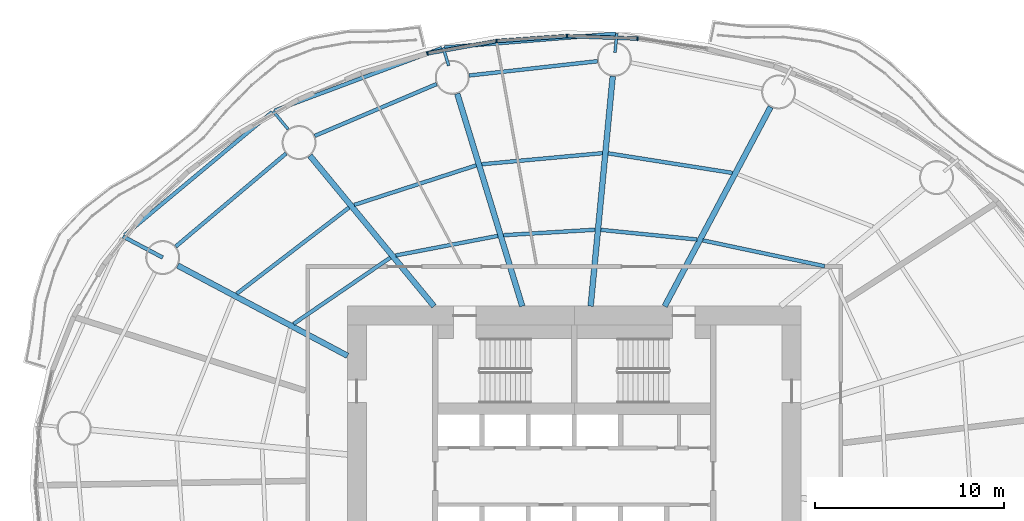
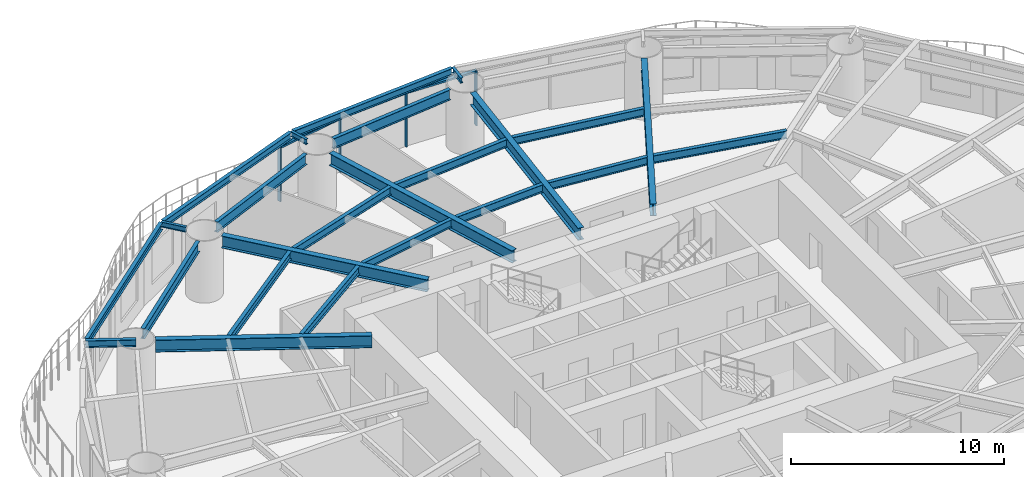
# One storey, part 5 of 17: 24 beams, 7 members, 3 elements without a shape of their own.
"""IFC4 building model written with IfcOpenShell, lengths in metres."""

from ifc_helpers import new_model, si_unit, direction, frame, origin, origin_2d, place, context, subcontext, project, spatial, rectangle, i_section, extrude, material, material_profile, profile_set, type_object, element, aggregate, save


model = new_model("IFC4")

# Units and contexts
model_context = context("Model", 3, precision=1e-05, world=origin(), true_north=direction((0.0, 1.0)))
body_context = subcontext(model_context, "Body", "Model", "MODEL_VIEW")
ifc_project = project(units=[si_unit("LENGTHUNIT", "METRE"), si_unit("AREAUNIT", "SQUARE_METRE"), si_unit("VOLUMEUNIT", "CUBIC_METRE"), si_unit("PLANEANGLEUNIT", "RADIAN"), si_unit("MASSUNIT", "GRAM", prefix="KILO")], contexts=[model_context])

# Site, building, storey
site_placement = place(None, origin())
site = spatial("IfcSite", under=ifc_project, at=site_placement, CompositionType="ELEMENT")
building_placement = place(site_placement, origin())
building = spatial("IfcBuilding", under=site, at=building_placement, Name="Vermilion Reach Broadcast Tower", CompositionType="ELEMENT")
storey_placement = place(building_placement, frame((0.0, 0.0, 39.699951171875)))
storey = spatial("IfcBuildingStorey", under=building, at=storey_placement, Name="L06", CompositionType="ELEMENT", Elevation=39.699951171875)

# Beams
ifc_material_1 = material(Name="Steel S355J2", Category="steel")
ifc_material_profile_1 = material_profile(ifc_material_1, i_section(OverallWidth=0.199951171875, OverallDepth=0.39990234375, WebThickness=0.008056640625, FlangeThickness=0.012939453125, at=origin_2d()), Name="S355J2 HN 400x200x8x13")
ifc_profile_set_1 = profile_set([ifc_material_profile_1], Name="Steel S355J2")
beam_type_1 = type_object("IfcBeamType", Name="EB1 HN 400x200x8x13", PredefinedType="BEAM", material=ifc_profile_set_1)
beam_1_placement = place(storey_placement, frame((-3.82470703125, 23.41748046875, 3.35009765625), z_axis=(-0.996756016342, -0.080482568827, 0.0), x_axis=(0.080482568827, -0.996756016342, 0.0)))
element("IfcBeam", 1, at=beam_1_placement, inside=storey, type_object=beam_type_1, Name="Edge beam EB1-04", PredefinedType="BEAM", context=body_context, shape_type="SweptSolid", body=[
    extrude(i_section(OverallWidth=0.199951171875, OverallDepth=0.39990234375, WebThickness=0.008056640625, FlangeThickness=0.012939453125, at=origin_2d()), origin(), (0.0, 0.0, 1.0), 9.06689453125),
])
beam_2_placement = place(storey_placement, frame((-13.009033203125, 22.6552734375, 3.35009765625), z_axis=(-0.936695098181, -0.350146102424, 0.0), x_axis=(0.350146102424, -0.936695098181, 0.0)))
element("IfcBeam", 2, at=beam_2_placement, inside=storey, type_object=beam_type_1, Name="Edge beam EB1-05", PredefinedType="BEAM", context=body_context, shape_type="SweptSolid", body=[
    extrude(i_section(OverallWidth=0.199951171875, OverallDepth=0.39990234375, WebThickness=0.008056640625, FlangeThickness=0.012939453125, at=origin_2d()), origin(), (0.0, 0.0, 1.0), 9.4462890625),
])
beam_3_placement = place(storey_placement, frame((-21.9892578125, 19.271728515625, 3.35009765625), z_axis=(-0.767787976171, -0.640704006268, 0.0), x_axis=(0.640704006268, -0.767787976171, 0.0)))
element("IfcBeam", 3, at=beam_3_placement, inside=storey, type_object=beam_type_1, Name="Edge beam EB1-06", PredefinedType="BEAM", context=body_context, shape_type="SweptSolid", body=[
    extrude(i_section(OverallWidth=0.199951171875, OverallDepth=0.39990234375, WebThickness=0.008056640625, FlangeThickness=0.012939453125, at=origin_2d()), origin(), (0.0, 0.0, 1.0), 10.16455078125),
])
ifc_material_2 = material(Name="Steel S355J2", Category="steel")
ifc_material_profile_2 = material_profile(ifc_material_2, i_section(OverallWidth=0.300048828125, OverallDepth=0.699951171875, WebThickness=0.012939453125, FlangeThickness=0.02392578125, at=origin_2d()), Name="S355J2 HN 700x300x13x24")
ifc_profile_set_2 = profile_set([ifc_material_profile_2], Name="Steel S355J2")
beam_type_2 = type_object("IfcBeamType", Name="G1 HN 700x300x13x24", PredefinedType="BEAM", material=ifc_profile_set_2)
beam_4_placement = place(storey_placement, frame((-1.216552734375, 9.0, 3.199951171875), z_axis=(0.469312182262, 0.883032318537, 0.0), x_axis=(-0.883032318537, 0.469312182262, 0.0)))
element("IfcBeam", 4, at=beam_4_placement, inside=storey, type_object=beam_type_2, Name="Girder G1-03", PredefinedType="BEAM", context=body_context, shape_type="SweptSolid", body=[
    extrude(i_section(OverallWidth=0.300048828125, OverallDepth=0.699951171875, WebThickness=0.012939453125, FlangeThickness=0.02392578125, at=origin_2d()), origin(), (0.0, 0.0, 1.0), 11.94091796875),
])
beam_5_placement = place(storey_placement, frame((-5.135009765625, 9.0, 3.199951171875), z_axis=(0.09566673912, 0.995413419151, 0.0), x_axis=(-0.995413419151, 0.09566673912, 0.0)))
element("IfcBeam", 5, at=beam_5_placement, inside=storey, type_object=beam_type_2, Name="Girder G1-04", PredefinedType="BEAM", context=body_context, shape_type="SweptSolid", body=[
    extrude(i_section(OverallWidth=0.300048828125, OverallDepth=0.699951171875, WebThickness=0.012939453125, FlangeThickness=0.02392578125, at=origin_2d()), origin(), (0.0, 0.0, 1.0), 12.22412109375),
])
beam_6_placement = place(storey_placement, frame((-8.753173828125, 9.0, 3.199951171875), z_axis=(-0.292542302886, 0.95625258223, 0.0), x_axis=(-0.95625258223, -0.292542302886, 0.0)))
element("IfcBeam", 6, at=beam_6_placement, inside=storey, type_object=beam_type_2, Name="Girder G1-05", PredefinedType="BEAM", context=body_context, shape_type="SweptSolid", body=[
    extrude(i_section(OverallWidth=0.300048828125, OverallDepth=0.699951171875, WebThickness=0.012939453125, FlangeThickness=0.02392578125, at=origin_2d()), origin(), (0.0, 0.0, 1.0), 11.76220703125),
])
beam_7_placement = place(storey_placement, frame((-13.421630859375, 9.0, 3.199951171875), z_axis=(-0.636215165107, 0.77151167437, 0.0), x_axis=(-0.77151167437, -0.636215165107, 0.0)))
element("IfcBeam", 7, at=beam_7_placement, inside=storey, type_object=beam_type_2, Name="Girder G1-06", PredefinedType="BEAM", context=body_context, shape_type="SweptSolid", body=[
    extrude(i_section(OverallWidth=0.300048828125, OverallDepth=0.699951171875, WebThickness=0.012939453125, FlangeThickness=0.02392578125, at=origin_2d()), origin(), (0.0, 0.0, 1.0), 10.3251953125),
])
beam_8_placement = place(storey_placement, frame((-18.0, 6.3779296875, 3.199951171875), z_axis=(-0.883032139419, 0.469312519279, 0.0), x_axis=(-0.469312519279, -0.883032139419, 0.0)))
element("IfcBeam", 8, at=beam_8_placement, inside=storey, type_object=beam_type_2, Name="Girder G1-07", PredefinedType="BEAM", context=body_context, shape_type="SweptSolid", body=[
    extrude(i_section(OverallWidth=0.300048828125, OverallDepth=0.699951171875, WebThickness=0.012939453125, FlangeThickness=0.02392578125, at=origin_2d()), origin(), (0.0, 0.0, 1.0), 10.17529296875),
])
ifc_material_3 = material(Name="Steel S355J2", Category="steel")
ifc_material_profile_3 = material_profile(ifc_material_3, i_section(OverallWidth=0.199951171875, OverallDepth=0.39990234375, WebThickness=0.008056640625, FlangeThickness=0.012939453125, at=origin_2d()), Name="S355J2 HN 400x200x8x13")
ifc_profile_set_3 = profile_set([ifc_material_profile_3], Name="Steel S355J2")
beam_type_3 = type_object("IfcBeamType", Name="GC1 HN 400x200x8x13", PredefinedType="BEAM", material=ifc_profile_set_3)
beam_9_placement = place(storey_placement, frame((-27.77978515625, 11.57568359375, 3.35009765625), z_axis=(-0.883046482276, 0.469285531568, 0.0), x_axis=(-0.469285531568, -0.883046482276, 0.0)))
element("IfcBeam", 9, at=beam_9_placement, inside=storey, type_object=beam_type_3, Name="Cantilever girder GC1-07", PredefinedType="BEAM", context=body_context, shape_type="SweptSolid", body=[
    extrude(i_section(OverallWidth=0.199951171875, OverallDepth=0.39990234375, WebThickness=0.008056640625, FlangeThickness=0.012939453125, at=origin_2d()), origin(), (0.0, 0.0, 1.0), 2.374267578125),
])
ifc_material_4 = material(Name="Steel S355J2", Category="steel")
ifc_material_profile_4 = material_profile(ifc_material_4, i_section(OverallWidth=0.14990234375, OverallDepth=0.300048828125, WebThickness=0.006591796875, FlangeThickness=0.009033203125, at=origin_2d()), Name="S355J2 HN 300x150x6.5x9")
ifc_profile_set_4 = profile_set([ifc_material_profile_4], Name="Steel S355J2")
beam_type_4 = type_object("IfcBeamType", Name="GS1 HN 300x150x6.5x9", PredefinedType="BEAM", material=ifc_profile_set_4)
beam_10_placement = place(storey_placement, frame((-3.84423828125, 22.42822265625, 3.400146484375), z_axis=(0.095465829939, 0.995432707577, 0.0), x_axis=(-0.995432707577, 0.095465829939, 0.0)))
element("IfcBeam", 10, at=beam_10_placement, inside=storey, type_object=beam_type_4, Name="Cantilever stub GS1-04", PredefinedType="BEAM", context=body_context, shape_type="SweptSolid", body=[
    extrude(i_section(OverallWidth=0.14990234375, OverallDepth=0.300048828125, WebThickness=0.006591796875, FlangeThickness=0.009033203125, at=origin_2d()), origin(), (0.0, 0.0, 1.0), 1.0),
])
beam_11_placement = place(storey_placement, frame((-12.646240234375, 21.725341796875, 3.400146484375), z_axis=(-0.292541120261, 0.956252944025, 0.0), x_axis=(-0.956252944025, -0.292541120261, 0.0)))
element("IfcBeam", 11, at=beam_11_placement, inside=storey, type_object=beam_type_4, Name="Cantilever stub GS1-05", PredefinedType="BEAM", context=body_context, shape_type="SweptSolid", body=[
    extrude(i_section(OverallWidth=0.14990234375, OverallDepth=0.300048828125, WebThickness=0.006591796875, FlangeThickness=0.009033203125, at=origin_2d()), origin(), (0.0, 0.0, 1.0), 0.999755859375),
])
beam_12_placement = place(storey_placement, frame((-21.1357421875, 18.354736328125, 3.400146484375), z_axis=(-0.63624068846, 0.771490626222, 0.0), x_axis=(-0.771490626222, -0.63624068846, 0.0)))
element("IfcBeam", 12, at=beam_12_placement, inside=storey, type_object=beam_type_4, Name="Cantilever stub GS1-06", PredefinedType="BEAM", context=body_context, shape_type="SweptSolid", body=[
    extrude(i_section(OverallWidth=0.14990234375, OverallDepth=0.300048828125, WebThickness=0.006591796875, FlangeThickness=0.009033203125, at=origin_2d()), origin(), (0.0, 0.0, 1.0), 1.2509765625),
])
ifc_material_5 = material(Name="Steel S355J2", Category="steel")
ifc_material_profile_5 = material_profile(ifc_material_5, i_section(OverallWidth=0.199951171875, OverallDepth=0.60009765625, WebThickness=0.010986328125, FlangeThickness=0.01708984375, at=origin_2d()), Name="S355J2 HN 600x200x11x17")
ifc_profile_set_5 = profile_set([ifc_material_profile_5], Name="Steel S355J2")
beam_type_5 = type_object("IfcBeamType", Name="RB1 HN 600x200x11x17", PredefinedType="BEAM", material=ifc_profile_set_5)
beam_13_placement = place(storey_placement, frame((-4.77392578125, 21.964111328125, 3.25), z_axis=(-0.993851439324, -0.110721798009, 0.0), x_axis=(0.110721798009, -0.993851439324, 0.0)))
element("IfcBeam", 13, at=beam_13_placement, inside=storey, type_object=beam_type_5, Name="Ring beam RB1-04", PredefinedType="BEAM", context=body_context, shape_type="SweptSolid", body=[
    extrude(i_section(OverallWidth=0.199951171875, OverallDepth=0.60009765625, WebThickness=0.010986328125, FlangeThickness=0.01708984375, at=origin_2d()), origin(), (0.0, 0.0, 1.0), 6.8310546875),
])
beam_14_placement = place(storey_placement, frame((-13.28564453125, 20.755859375, 3.25), z_axis=(-0.920220846584, -0.391399531825, 0.0), x_axis=(0.391399531825, -0.920220846584, 0.0)))
element("IfcBeam", 14, at=beam_14_placement, inside=storey, type_object=beam_type_5, Name="Ring beam RB1-05", PredefinedType="BEAM", context=body_context, shape_type="SweptSolid", body=[
    extrude(i_section(OverallWidth=0.199951171875, OverallDepth=0.60009765625, WebThickness=0.010986328125, FlangeThickness=0.01708984375, at=origin_2d()), origin(), (0.0, 0.0, 1.0), 7.008544921875),
])
beam_15_placement = place(storey_placement, frame((-21.251220703125, 17.080322265625, 3.25), z_axis=(-0.764512441084, -0.6446089725, 0.0), x_axis=(0.6446089725, -0.764512441084, 0.0)))
element("IfcBeam", 15, at=beam_15_placement, inside=storey, type_object=beam_type_5, Name="Ring beam RB1-06", PredefinedType="BEAM", context=body_context, shape_type="SweptSolid", body=[
    extrude(i_section(OverallWidth=0.199951171875, OverallDepth=0.60009765625, WebThickness=0.010986328125, FlangeThickness=0.01708984375, at=origin_2d()), origin(), (0.0, 0.0, 1.0), 7.6396484375),
])
ifc_material_6 = material(Name="Steel S355J2", Category="steel")
ifc_material_profile_6 = material_profile(ifc_material_6, i_section(OverallWidth=0.199951171875, OverallDepth=0.449951171875, WebThickness=0.009033203125, FlangeThickness=0.013916015625, at=origin_2d()), Name="S355J2 HN 450x200x9x14")
ifc_profile_set_6 = profile_set([ifc_material_profile_6], Name="Steel S355J2")
beam_type_6 = type_object("IfcBeamType", Name="SB1 HN 450x200x9x14", PredefinedType="BEAM", material=ifc_profile_set_6)
beam_16_placement = place(storey_placement, frame((7.24560546875, 11.1171875, 3.324951171875), z_axis=(-0.978270372412, 0.207333254596, 0.0), x_axis=(-0.207333254596, -0.978270372412, 0.0)))
element("IfcBeam", 16, at=beam_16_placement, inside=storey, type_object=beam_type_6, Name="Secondary beam SB1-02-1", PredefinedType="BEAM", context=body_context, shape_type="SweptSolid", body=[
    extrude(i_section(OverallWidth=0.199951171875, OverallDepth=0.449951171875, WebThickness=0.009033203125, FlangeThickness=0.013916015625, at=origin_2d()), origin(), (0.0, 0.0, 1.0), 6.584716796875),
])
beam_17_placement = place(storey_placement, frame((0.490234375, 12.531005859375, 3.324951171875), z_axis=(-0.995010199331, 0.099773259079, 0.0), x_axis=(-0.099773259079, -0.995010199331, 0.0)))
element("IfcBeam", 17, at=beam_17_placement, inside=storey, type_object=beam_type_6, Name="Secondary beam SB1-03-1", PredefinedType="BEAM", context=body_context, shape_type="SweptSolid", body=[
    extrude(i_section(OverallWidth=0.199951171875, OverallDepth=0.449951171875, WebThickness=0.009033203125, FlangeThickness=0.013916015625, at=origin_2d()), origin(), (0.0, 0.0, 1.0), 5.111572265625),
])
beam_18_placement = place(storey_placement, frame((2.36279296875, 16.05419921875, 3.324951171875), z_axis=(-0.987829548379, 0.155540294938, 0.0), x_axis=(-0.155540294938, -0.987829548379, 0.0)))
element("IfcBeam", 18, at=beam_18_placement, inside=storey, type_object=beam_type_6, Name="Secondary beam SB1-03-2", PredefinedType="BEAM", context=body_context, shape_type="SweptSolid", body=[
    extrude(i_section(OverallWidth=0.199951171875, OverallDepth=0.449951171875, WebThickness=0.009033203125, FlangeThickness=0.013916015625, at=origin_2d()), origin(), (0.0, 0.0, 1.0), 6.650634765625),
])
beam_19_placement = place(storey_placement, frame((-4.896728515625, 13.046875, 3.324951171875), z_axis=(-0.99823410974, -0.059402543307, 0.0), x_axis=(0.059402543307, -0.99823410974, 0.0)))
element("IfcBeam", 19, at=beam_19_placement, inside=storey, type_object=beam_type_6, Name="Secondary beam SB1-04-1", PredefinedType="BEAM", context=body_context, shape_type="SweptSolid", body=[
    extrude(i_section(OverallWidth=0.199951171875, OverallDepth=0.449951171875, WebThickness=0.009033203125, FlangeThickness=0.013916015625, at=origin_2d()), origin(), (0.0, 0.0, 1.0), 4.85791015625),
])
beam_20_placement = place(storey_placement, frame((-4.50732421875, 17.09814453125, 3.324951171875), z_axis=(-0.995818616382, -0.091352521952, 0.0), x_axis=(0.091352521952, -0.995818616382, 0.0)))
element("IfcBeam", 20, at=beam_20_placement, inside=storey, type_object=beam_type_6, Name="Secondary beam SB1-04-2", PredefinedType="BEAM", context=body_context, shape_type="SweptSolid", body=[
    extrude(i_section(OverallWidth=0.199951171875, OverallDepth=0.449951171875, WebThickness=0.009033203125, FlangeThickness=0.013916015625, at=origin_2d()), origin(), (0.0, 0.0, 1.0), 6.4140625),
])
beam_21_placement = place(storey_placement, frame((-10.04833984375, 12.720703125, 3.324951171875), z_axis=(-0.982151348822, -0.188092339045, 0.0), x_axis=(0.188092339045, -0.982151348822, 0.0)))
element("IfcBeam", 21, at=beam_21_placement, inside=storey, type_object=beam_type_6, Name="Secondary beam SB1-05-1", PredefinedType="BEAM", context=body_context, shape_type="SweptSolid", body=[
    extrude(i_section(OverallWidth=0.199951171875, OverallDepth=0.449951171875, WebThickness=0.009033203125, FlangeThickness=0.013916015625, at=origin_2d()), origin(), (0.0, 0.0, 1.0), 5.4931640625),
])
beam_22_placement = place(storey_placement, frame((-11.18994140625, 16.4521484375, 3.324951171875), z_axis=(-0.951332300844, -0.308166924523, 0.0), x_axis=(0.308166924523, -0.951332300844, 0.0)))
element("IfcBeam", 22, at=beam_22_placement, inside=storey, type_object=beam_type_6, Name="Secondary beam SB1-05-2", PredefinedType="BEAM", context=body_context, shape_type="SweptSolid", body=[
    extrude(i_section(OverallWidth=0.199951171875, OverallDepth=0.449951171875, WebThickness=0.009033203125, FlangeThickness=0.013916015625, at=origin_2d()), origin(), (0.0, 0.0, 1.0), 6.787841796875),
])
beam_23_placement = place(storey_placement, frame((-15.735595703125, 11.5703125, 3.324951171875), z_axis=(-0.825140253447, -0.564927926502, 0.0), x_axis=(0.564927926502, -0.825140253447, 0.0)))
element("IfcBeam", 23, at=beam_23_placement, inside=storey, type_object=beam_type_6, Name="Secondary beam SB1-06-1", PredefinedType="BEAM", context=body_context, shape_type="SweptSolid", body=[
    extrude(i_section(OverallWidth=0.199951171875, OverallDepth=0.449951171875, WebThickness=0.009033203125, FlangeThickness=0.013916015625, at=origin_2d()), origin(), (0.0, 0.0, 1.0), 6.20458984375),
])
beam_24_placement = place(storey_placement, frame((-17.920166015625, 14.21923828125, 3.324951171875), z_axis=(-0.793349617473, -0.60876628065, 0.0), x_axis=(0.60876628065, -0.793349617473, 0.0)))
element("IfcBeam", 24, at=beam_24_placement, inside=storey, type_object=beam_type_6, Name="Secondary beam SB1-06-2", PredefinedType="BEAM", context=body_context, shape_type="SweptSolid", body=[
    extrude(i_section(OverallWidth=0.199951171875, OverallDepth=0.449951171875, WebThickness=0.009033203125, FlangeThickness=0.013916015625, at=origin_2d()), origin(), (0.0, 0.0, 1.0), 7.486328125),
])

# Curtain wall, member
ifc_material_7 = material(Name="Low-e laminated clear glass in aluminium frame", Category="aluminium")
curtain_wall_type = type_object("IfcCurtainWallType", Name="Slot curtain wall", PredefinedType="NOTDEFINED", material=ifc_material_7)
placement = place(storey_placement, origin())
curtain_wall_1 = element("IfcCurtainWall", 25, at=placement, inside=storey, type_object=curtain_wall_type, Name="Slot curtain wall L06 11", PredefinedType="NOTDEFINED")
ifc_material_8 = material(Name="Anodised aluminium", Category="aluminium")
ifc_material_profile_7 = material_profile(ifc_material_8, rectangle(XDim=0.199951171875, YDim=0.080078125, at=origin_2d()), Name="Slot mullion 80 x 200")
ifc_profile_set_7 = profile_set([ifc_material_profile_7], Name="Anodised aluminium")
member_type_1 = type_object("IfcMemberType", Name="Slot mullion 80 x 200", PredefinedType="MULLION", material=ifc_profile_set_7)
member_1_placement = place(storey_placement, frame((-2.66064453125, 23.158447265625, 0.0), z_axis=(0.0, 0.0, 1.0), x_axis=(-0.090735626108, -0.995875015328, 0.0)))
member_1 = element("IfcMember", 26, at=member_1_placement, type_object=member_type_1, Name="Slot mullion L06 11", PredefinedType="MULLION", context=body_context, shape_type="SweptSolid", body=[
    extrude(rectangle(XDim=0.199951171875, YDim=0.080078125, at=origin_2d()), origin(), (0.0, 0.0, 1.0), 3.150146484375),
])

curtain_wall_2 = element("IfcCurtainWall", 27, at=placement, inside=storey, type_object=curtain_wall_type, Name="Slot curtain wall L06 12", PredefinedType="NOTDEFINED")
member_2_placement = place(storey_placement, frame((-6.390380859375, 23.296142578125, 0.0), z_axis=(0.0, 0.0, 1.0), x_axis=(0.016754397496, -0.999859635231, 0.0)))
member_2 = element("IfcMember", 28, at=member_2_placement, type_object=member_type_1, Name="Slot mullion L06 12", PredefinedType="MULLION", context=body_context, shape_type="SweptSolid", body=[
    extrude(rectangle(XDim=0.199951171875, YDim=0.080078125, at=origin_2d()), origin(), (0.0, 0.0, 1.0), 3.150146484375),
])

# Curtain wall, members
curtain_wall_3 = element("IfcCurtainWall", 29, at=placement, inside=storey, type_object=curtain_wall_type, Name="Slot curtain wall L06 13", PredefinedType="NOTDEFINED")
member_3_placement = place(storey_placement, frame((-10.11328125, 23.03369140625, 0.0), z_axis=(0.0, 0.0, 1.0), x_axis=(0.12405054806, -0.992275899902, 0.0)))
member_3 = element("IfcMember", 30, at=member_3_placement, type_object=member_type_1, Name="Slot mullion L06 13", PredefinedType="MULLION", context=body_context, shape_type="SweptSolid", body=[
    extrude(rectangle(XDim=0.199951171875, YDim=0.080078125, at=origin_2d()), origin(), (0.0, 0.0, 1.0), 3.150146484375),
])
member_4_placement = place(storey_placement, frame((-13.765380859375, 22.37548828125, 0.0), z_axis=(0.0, 0.0, 1.0), x_axis=(0.231085720101, -0.972933394414, 0.0)))
member_4 = element("IfcMember", 31, at=member_4_placement, type_object=member_type_1, Name="Slot mullion L06 14", PredefinedType="MULLION", context=body_context, shape_type="SweptSolid", body=[
    extrude(rectangle(XDim=0.199951171875, YDim=0.080078125, at=origin_2d()), origin(), (0.0, 0.0, 1.0), 3.150146484375),
])

# Member
ifc_material_9 = material(Name="Anodised aluminium", Category="aluminium")
ifc_material_profile_8 = material_profile(ifc_material_9, rectangle(XDim=0.199951171875, YDim=0.10009765625, at=origin_2d()), Name="Slot transom 200 x 100")
ifc_profile_set_8 = profile_set([ifc_material_profile_8], Name="Anodised aluminium")
member_type_2 = type_object("IfcMemberType", Name="Slot transom 200 x 100", PredefinedType="USERDEFINED", material=ifc_profile_set_8)
member_5_placement = place(storey_placement, frame((-2.70068359375, 23.16015625, 3.10009765625), z_axis=(-0.999321411208, 0.036833640884, 0.0), x_axis=(-0.036833640884, -0.999321411208, 0.0)))
member_5 = element("IfcMember", 32, at=member_5_placement, type_object=member_type_2, Name="Slot transom L06 11.1", ObjectType="TRANSOM", PredefinedType="USERDEFINED", context=body_context, shape_type="SweptSolid", body=[
    extrude(rectangle(XDim=0.199951171875, YDim=0.10009765625, at=origin_2d()), origin(), (0.0, 0.0, 1.0), 3.652099609375),
])

aggregate(curtain_wall_1, [member_1, member_5])

member_6_placement = place(storey_placement, frame((-6.43017578125, 23.29345703125, 3.10009765625), z_axis=(-0.997519744707, -0.070387207075, 0.0), x_axis=(0.070387207075, -0.997519744707, 0.0)))
member_6 = element("IfcMember", 33, at=member_6_placement, type_object=member_type_2, Name="Slot transom L06 12.1", ObjectType="TRANSOM", PredefinedType="USERDEFINED", context=body_context, shape_type="SweptSolid", body=[
    extrude(rectangle(XDim=0.199951171875, YDim=0.10009765625, at=origin_2d()), origin(), (0.0, 0.0, 1.0), 3.65234375),
])

aggregate(curtain_wall_2, [member_2, member_6])

member_7_placement = place(storey_placement, frame((-10.15283203125, 23.026611328125, 3.10009765625), z_axis=(-0.984142030304, -0.177382254437, 0.0), x_axis=(0.177382254437, -0.984142030304, 0.0)))
member_7 = element("IfcMember", 34, at=member_7_placement, type_object=member_type_2, Name="Slot transom L06 13.1", ObjectType="TRANSOM", PredefinedType="USERDEFINED", context=body_context, shape_type="SweptSolid", body=[
    extrude(rectangle(XDim=0.199951171875, YDim=0.10009765625, at=origin_2d()), origin(), (0.0, 0.0, 1.0), 3.630859375),
])

aggregate(curtain_wall_3, [member_3, member_4, member_7])

save(model, "model.ifc")
